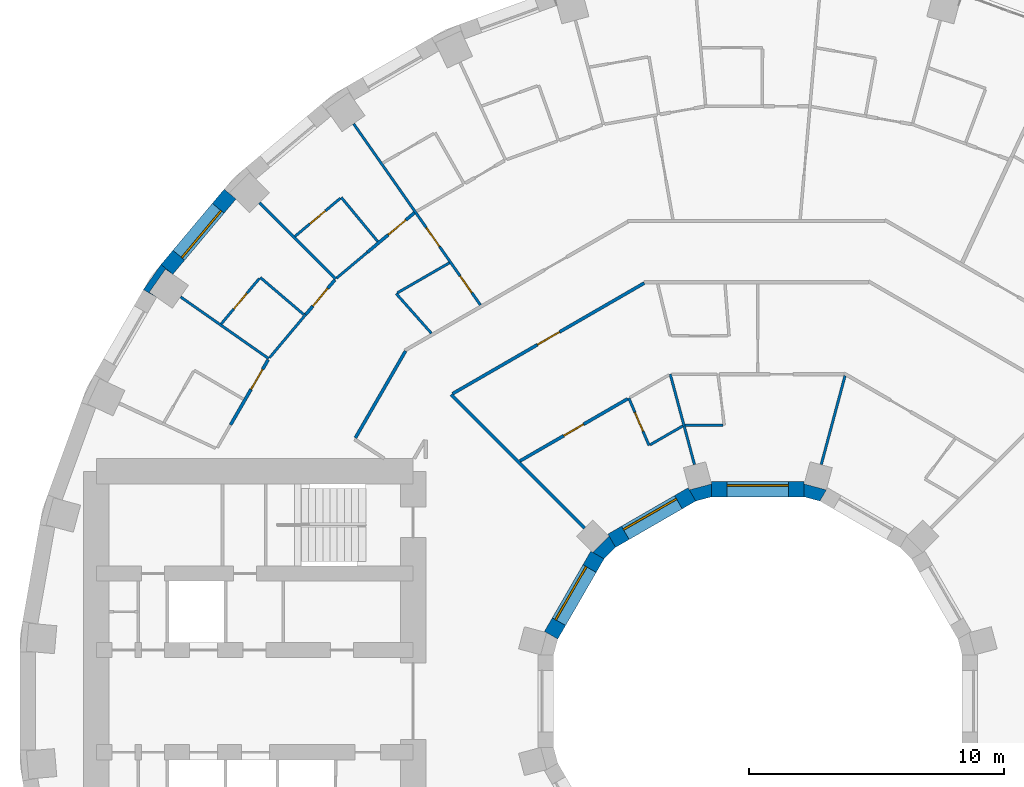
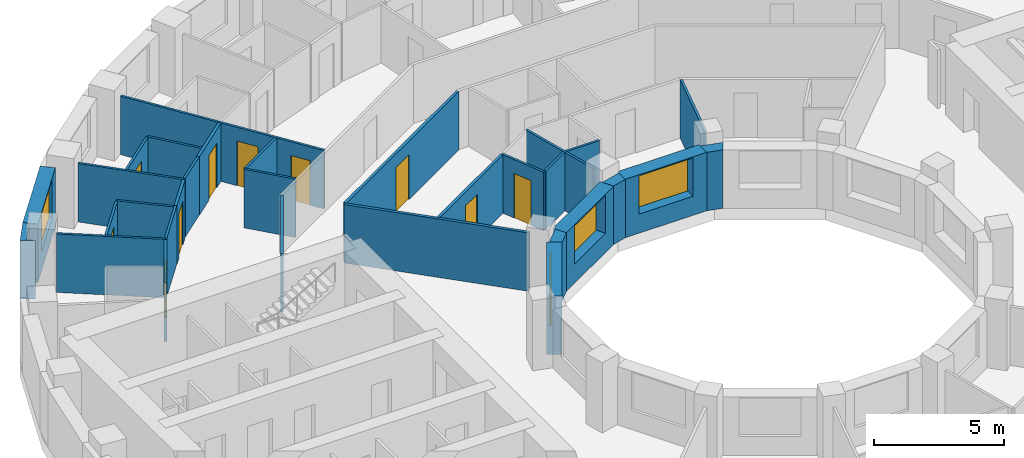
# One storey, part 10 of 15: 31 walls, 10 doors, 4 windows, 14 openings.
"""IFC4 building model written with IfcOpenShell, lengths in metres."""

from ifc_helpers import new_model, si_unit, direction, frame, frame_2d, origin, place, context, subcontext, project, spatial, polyline, rectangle, outline, extrude, material, layer, layer_set, type_object, element, fill, save


model = new_model("IFC4")

# Units and contexts
model_context = context("Model", 3, precision=1e-05, world=origin(), true_north=direction((0.0, 1.0)))
body_context = subcontext(model_context, "Body", "Model", "MODEL_VIEW")
ifc_project = project(units=[si_unit("LENGTHUNIT", "METRE"), si_unit("AREAUNIT", "SQUARE_METRE"), si_unit("VOLUMEUNIT", "CUBIC_METRE"), si_unit("PLANEANGLEUNIT", "RADIAN"), si_unit("MASSUNIT", "GRAM", prefix="KILO")], contexts=[model_context])

# Site, building, storey
site_placement = place(None, origin())
site = spatial("IfcSite", under=ifc_project, at=site_placement, CompositionType="ELEMENT")
building_placement = place(site_placement, origin())
building = spatial("IfcBuilding", under=site, at=building_placement, Name="Saqina Gate Tower", CompositionType="ELEMENT")
storey_placement = place(building_placement, frame((0.0, 0.0, 72.5)))
storey = spatial("IfcBuildingStorey", under=building, at=storey_placement, Name="L20", CompositionType="ELEMENT", Elevation=72.5)

# Wall
ifc_material_1 = material(Name="Brick masonry (red)", Category="masonry")
wall_type_1 = type_object("IfcWallType", Name="BRICK PIER COPING RED", PredefinedType="SOLIDWALL", material=ifc_material_1)
wall_1_placement = place(storey_placement, origin())
element("IfcWall", 1, at=wall_1_placement, inside=storey, type_object=wall_type_1, Name="Pier cap L20 column 15", PredefinedType="SOLIDWALL", context=body_context, shape_type="SweptSolid", body=[
    extrude(outline(polyline([(-23.36669921875, 17.096923828125), (-24.0576171875, 16.110107421875), (-23.5380859375, 15.81005859375), (-23.8251953125, 16.010986328125), (-23.194091796875, 16.912109375), (-22.9072265625, 16.711181640625), (-23.36669921875, 17.096923828125)])), origin(), (0.0, 0.0, 1.0), 2.75),
])

# Wall, opening, window
ifc_material_2 = material(Name="Brick masonry (red)", Category="masonry")
ifc_layer_1 = layer(ifc_material_2, 0.60009765625)
ifc_layer_set_1 = layer_set([ifc_layer_1], Name="FW-BRICK-RED")
wall_type_2 = type_object("IfcWallType", Name="FW-BRICK-RED", PredefinedType="SOLIDWALL", material=ifc_layer_set_1)
wall_2_placement = place(storey_placement, frame((-20.664794921875, 19.85009765625, 0.0), z_axis=(0.0, 0.0, 1.0), x_axis=(-0.642809392687, -0.766026164483, 0.0)))
wall_2 = element("IfcWall", 2, at=wall_2_placement, inside=storey, type_object=wall_type_2, Name="Facade wall L20 facet 14", PredefinedType="SOLIDWALL", context=body_context, shape_type="SweptSolid", body=[
    extrude(rectangle(XDim=3.845947265625, YDim=0.60009765625, at=frame_2d((1.9228515625, 0.0))), origin(), (0.0, 0.0, 1.0), 2.75),
])
opening_1_placement = place(wall_2_placement, frame((0.722900390625, 0.0, 0.89990234375)))
opening_1 = element("IfcOpeningElement", 3, at=opening_1_placement, cuts=wall_2, Name="Opening G05-W08", PredefinedType="OPENING", context=body_context, shape_type="SweptSolid", body=[
    extrude(rectangle(XDim=2.39990234375, YDim=1.800048828125, at=frame_2d((1.199951171875, 0.89990234375))), frame((0.0, 0.31201171875, 0.0), z_axis=(0.0, -1.0, 0.0), x_axis=(1.0, 0.0, 0.0)), (0.0, 0.0, 1.0), 0.6240234375),
])
ifc_material_3 = material(Name="Aluminium glazing", Category="aluminium")
window_type_1 = type_object("IfcWindowType", Name="WN-A", PartitioningType="SINGLE_PANEL", PredefinedType="WINDOW", material=ifc_material_3)
window_1_placement = place(opening_1_placement, origin())
window_1 = element("IfcWindow", 4, at=window_1_placement, inside=storey, type_object=window_type_1, Name="Window L20 facet 14", OverallHeight=1.800048828125, OverallWidth=2.39990234375, PartitioningType="SINGLE_PANEL", PredefinedType="WINDOW", context=body_context, shape_type="SweptSolid", body=[
    extrude(rectangle(XDim=2.39990234375, YDim=1.800048828125, at=frame_2d((1.199951171875, 0.89990234375))), frame((0.0, 0.179931640625, 0.0), z_axis=(0.0, -1.0, 0.0), x_axis=(1.0, 0.0, 0.0)), (0.0, 0.0, 1.0), 0.06005859375),
])
fill(opening_1, window_1)

ifc_material_4 = material(Name="Glazed ceramic tile", Category="ceramic")
ifc_layer_2 = layer(ifc_material_4, 0.60009765625)
ifc_layer_set_2 = layer_set([ifc_layer_2], Name="IW-TILE")
wall_type_3 = type_object("IfcWallType", Name="IW-TILE", PredefinedType="SOLIDWALL", material=ifc_layer_set_2)
wall_3_placement = place(storey_placement, frame((1.8125, 8.300048828125, 0.0), z_axis=(0.0, 0.0, 1.0), x_axis=(-1.0, 0.0, 0.0)))
wall_3 = element("IfcWall", 5, at=wall_3_placement, inside=storey, type_object=wall_type_3, Name="Well wall L20 facet 3", PredefinedType="SOLIDWALL", context=body_context, shape_type="SweptSolid", body=[
    extrude(rectangle(XDim=3.625, YDim=0.60009765625, at=frame_2d((1.8125, 0.0))), origin(), (0.0, 0.0, 1.0), 2.75),
])
opening_2_placement = place(wall_3_placement, frame((0.612548828125, 0.0, 0.89990234375)))
opening_2 = element("IfcOpeningElement", 6, at=opening_2_placement, cuts=wall_3, Name="Opening G05-W25", PredefinedType="OPENING", context=body_context, shape_type="SweptSolid", body=[
    extrude(rectangle(XDim=2.39990234375, YDim=1.800048828125, at=frame_2d((1.199951171875, 0.89990234375))), frame((0.0, 0.31201171875, 0.0), z_axis=(0.0, -1.0, 0.0), x_axis=(1.0, 0.0, 0.0)), (0.0, 0.0, 1.0), 0.6240234375),
])
ifc_material_5 = material(Name="Aluminium glazing", Category="aluminium")
window_type_2 = type_object("IfcWindowType", Name="WN-W", PartitioningType="SINGLE_PANEL", PredefinedType="WINDOW", material=ifc_material_5)
window_2_placement = place(opening_2_placement, origin())
window_2 = element("IfcWindow", 7, at=window_2_placement, inside=storey, type_object=window_type_2, Name="Well window L20 facet 3", OverallHeight=1.800048828125, OverallWidth=2.39990234375, PartitioningType="SINGLE_PANEL", PredefinedType="WINDOW", context=body_context, shape_type="SweptSolid", body=[
    extrude(rectangle(XDim=2.39990234375, YDim=1.800048828125, at=frame_2d((1.199951171875, 0.89990234375))), frame((0.0, -0.119873046875, 0.0), z_axis=(0.0, -1.0, 0.0), x_axis=(1.0, 0.0, 0.0)), (0.0, 0.0, 1.0), 0.06005859375),
])
fill(opening_2, window_2)

wall_4_placement = place(storey_placement, frame((-2.580322265625, 8.09423828125, 0.0), z_axis=(0.0, 0.0, 1.0), x_axis=(-0.866029693906, -0.499992569217, 0.0)))
wall_4 = element("IfcWall", 8, at=wall_4_placement, inside=storey, type_object=wall_type_3, Name="Well wall L20 facet 4", PredefinedType="SOLIDWALL", context=body_context, shape_type="SweptSolid", body=[
    extrude(rectangle(XDim=3.625, YDim=0.60009765625, at=frame_2d((1.8125, 0.0))), origin(), (0.0, 0.0, 1.0), 2.75),
])
opening_3_placement = place(wall_4_placement, frame((0.612548828125, 0.0, 0.89990234375)))
opening_3 = element("IfcOpeningElement", 9, at=opening_3_placement, cuts=wall_4, Name="Opening G05-W26", PredefinedType="OPENING", context=body_context, shape_type="SweptSolid", body=[
    extrude(rectangle(XDim=2.39990234375, YDim=1.800048828125, at=frame_2d((1.199951171875, 0.89990234375))), frame((0.0, 0.31201171875, 0.0), z_axis=(0.0, -1.0, 0.0), x_axis=(1.0, 0.0, 0.0)), (0.0, 0.0, 1.0), 0.6240234375),
])
window_3_placement = place(opening_3_placement, origin())
window_3 = element("IfcWindow", 10, at=window_3_placement, inside=storey, type_object=window_type_2, Name="Well window L20 facet 4", OverallHeight=1.800048828125, OverallWidth=2.39990234375, PartitioningType="SINGLE_PANEL", PredefinedType="WINDOW", context=body_context, shape_type="SweptSolid", body=[
    extrude(rectangle(XDim=2.39990234375, YDim=1.800048828125, at=frame_2d((1.199951171875, 0.89990234375))), frame((0.0, -0.119873046875, 0.0), z_axis=(0.0, -1.0, 0.0), x_axis=(1.0, 0.0, 0.0)), (0.0, 0.0, 1.0), 0.06005859375),
])
fill(opening_3, window_3)

wall_5_placement = place(storey_placement, frame((-6.28173828125, 5.7197265625, 0.0), z_axis=(0.0, 0.0, 1.0), x_axis=(-0.499992569217, -0.866029693906, 0.0)))
wall_5 = element("IfcWall", 11, at=wall_5_placement, inside=storey, type_object=wall_type_3, Name="Well wall L20 facet 5", PredefinedType="SOLIDWALL", context=body_context, shape_type="SweptSolid", body=[
    extrude(rectangle(XDim=3.625, YDim=0.60009765625, at=frame_2d((1.8125, 0.0))), origin(), (0.0, 0.0, 1.0), 2.75),
])
opening_4_placement = place(wall_5_placement, frame((0.612548828125, 0.0, 0.89990234375)))
opening_4 = element("IfcOpeningElement", 12, at=opening_4_placement, cuts=wall_5, Name="Opening G05-W27", PredefinedType="OPENING", context=body_context, shape_type="SweptSolid", body=[
    extrude(rectangle(XDim=2.39990234375, YDim=1.800048828125, at=frame_2d((1.199951171875, 0.89990234375))), frame((0.0, 0.31201171875, 0.0), z_axis=(0.0, -1.0, 0.0), x_axis=(1.0, 0.0, 0.0)), (0.0, 0.0, 1.0), 0.6240234375),
])
window_4_placement = place(opening_4_placement, origin())
window_4 = element("IfcWindow", 13, at=window_4_placement, inside=storey, type_object=window_type_2, Name="Well window L20 facet 5", OverallHeight=1.800048828125, OverallWidth=2.39990234375, PartitioningType="SINGLE_PANEL", PredefinedType="WINDOW", context=body_context, shape_type="SweptSolid", body=[
    extrude(rectangle(XDim=2.39990234375, YDim=1.800048828125, at=frame_2d((1.199951171875, 0.89990234375))), frame((0.0, -0.119873046875, 0.0), z_axis=(0.0, -1.0, 0.0), x_axis=(1.0, 0.0, 0.0)), (0.0, 0.0, 1.0), 0.06005859375),
])
fill(opening_4, window_4)

# Wall
ifc_material_6 = material(Name="Gypsum board on steel studs, 100 mm", Category="steel")
ifc_layer_3 = layer(ifc_material_6, 0.10009765625)
ifc_layer_set_3 = layer_set([ifc_layer_3], Name="PARTITION 100")
wall_type_4 = type_object("IfcWallType", Name="PARTITION 100", PredefinedType="PARTITIONING", material=ifc_layer_set_3)
wall_6_placement = place(storey_placement, frame((-3.429931640625, 12.800048828125, 0.0), z_axis=(0.0, 0.0, 1.0), x_axis=(0.258858359558, -0.965915291155, 0.0)))
element("IfcWall", 14, at=wall_6_placement, inside=storey, type_object=wall_type_4, Name="PARTITION PW3-13", PredefinedType="PARTITIONING", context=body_context, shape_type="SweptSolid", body=[
    extrude(rectangle(XDim=3.659423828125, YDim=0.10009765625, at=frame_2d((1.82958984375, 0.0))), origin(), (0.0, 0.0, 1.0), 2.75),
])

# Wall, opening, door
wall_7_placement = place(storey_placement, frame((-5.050048828125, 11.864013671875, 0.0), z_axis=(0.0, 0.0, 1.0), x_axis=(0.391782259177, -0.920057966323, 0.0)))
wall_7 = element("IfcWall", 15, at=wall_7_placement, inside=storey, type_object=wall_type_4, Name="PARTITION PW3-18", PredefinedType="PARTITIONING", context=body_context, shape_type="SweptSolid", body=[
    extrude(rectangle(XDim=2.013916015625, YDim=0.10009765625, at=frame_2d((1.0068359375, 0.0))), origin(), (0.0, 0.0, 1.0), 2.75),
])
opening_5_placement = place(wall_7_placement, frame((0.60693359375, 0.0, 0.0)))
opening_5 = element("IfcOpeningElement", 16, at=opening_5_placement, cuts=wall_7, Name="Opening G05-D22", PredefinedType="OPENING", context=body_context, shape_type="SweptSolid", body=[
    extrude(rectangle(XDim=0.800048828125, YDim=2.10009765625, at=frame_2d((0.39990234375, 1.050048828125))), frame((0.0, 0.06201171875, 0.0), z_axis=(0.0, -1.0, 0.0), x_axis=(1.0, 0.0, 0.0)), (0.0, 0.0, 1.0), 0.1240234375),
])
ifc_material_7 = material(Name="Timber door leaf, 800 mm", Category="wood")
door_type_1 = type_object("IfcDoorType", Name="DOOR 800 TIMBER", OperationType="SINGLE_SWING_LEFT", PredefinedType="DOOR", material=ifc_material_7)
door_1_placement = place(opening_5_placement, frame((0.800048828125, 0.0, 0.0), z_axis=(0.0, 0.0, 1.0), x_axis=(-1.0, 0.0, 0.0)))
door_1 = element("IfcDoor", 17, at=door_1_placement, inside=storey, type_object=door_type_1, Name="DOOR G05-D22", OperationType="SINGLE_SWING_RIGHT", OverallHeight=2.10009765625, OverallWidth=0.800048828125, PredefinedType="DOOR", context=body_context, shape_type="SweptSolid", body=[
    extrude(rectangle(XDim=0.800048828125, YDim=2.10009765625, at=frame_2d((0.39990234375, 1.050048828125))), frame((0.0, 0.02490234375, 0.0), z_axis=(0.0, -1.0, 0.0), x_axis=(1.0, 0.0, 0.0)), (0.0, 0.0, 1.0), 0.050048828125),
])
fill(opening_5, door_1)

# Wall, openings, doors
wall_8_placement = place(storey_placement, frame((-15.82470703125, 22.6005859375, 0.0), z_axis=(0.0, 0.0, 1.0), x_axis=(0.57339608395, -0.819278298816, 0.0)))
wall_8 = element("IfcWall", 18, at=wall_8_placement, inside=storey, type_object=wall_type_4, Name="PARTITION PW3-24", PredefinedType="PARTITIONING", context=body_context, shape_type="SweptSolid", body=[
    extrude(rectangle(XDim=8.6552734375, YDim=0.10009765625, at=frame_2d((4.32763671875, 0.0))), origin(), (0.0, 0.0, 1.0), 2.75),
])
opening_6_placement = place(wall_8_placement, frame((7.263671875, 0.0, 0.0)))
opening_6 = element("IfcOpeningElement", 19, at=opening_6_placement, cuts=wall_8, Name="Opening G05-D28", PredefinedType="OPENING", context=body_context, shape_type="SweptSolid", body=[
    extrude(rectangle(XDim=0.800048828125, YDim=2.10009765625, at=frame_2d((0.39990234375, 1.050048828125))), frame((0.0, 0.06201171875, 0.0), z_axis=(0.0, -1.0, 0.0), x_axis=(1.0, 0.0, 0.0)), (0.0, 0.0, 1.0), 0.1240234375),
])
opening_7_placement = place(wall_8_placement, frame((4.96044921875, 0.0, 0.0)))
opening_7 = element("IfcOpeningElement", 20, at=opening_7_placement, cuts=wall_8, Name="Opening G05-D29", PredefinedType="OPENING", context=body_context, shape_type="SweptSolid", body=[
    extrude(rectangle(XDim=0.89990234375, YDim=2.10009765625, at=frame_2d((0.449951171875, 1.050048828125))), frame((0.0, 0.06201171875, 0.0), z_axis=(0.0, -1.0, 0.0), x_axis=(1.0, 0.0, 0.0)), (0.0, 0.0, 1.0), 0.1240234375),
])
door_2_placement = place(opening_6_placement, origin())
door_2 = element("IfcDoor", 21, at=door_2_placement, inside=storey, type_object=door_type_1, Name="DOOR G05-D28", OperationType="SINGLE_SWING_RIGHT", OverallHeight=2.10009765625, OverallWidth=0.800048828125, PredefinedType="DOOR", context=body_context, shape_type="SweptSolid", body=[
    extrude(rectangle(XDim=0.800048828125, YDim=2.10009765625, at=frame_2d((0.39990234375, 1.050048828125))), frame((0.0, 0.02490234375, 0.0), z_axis=(0.0, -1.0, 0.0), x_axis=(1.0, 0.0, 0.0)), (0.0, 0.0, 1.0), 0.050048828125),
])
fill(opening_6, door_2)
ifc_material_8 = material(Name="Timber door leaf, 900 mm", Category="wood")
door_type_2 = type_object("IfcDoorType", Name="DOOR 900 TIMBER", OperationType="SINGLE_SWING_LEFT", PredefinedType="DOOR", material=ifc_material_8)
door_3_placement = place(opening_7_placement, frame((0.89990234375, 0.0, 0.0), z_axis=(0.0, 0.0, 1.0), x_axis=(-1.0, 0.0, 0.0)))
door_3 = element("IfcDoor", 22, at=door_3_placement, inside=storey, type_object=door_type_2, Name="DOOR G05-D29", OperationType="SINGLE_SWING_LEFT", OverallHeight=2.10009765625, OverallWidth=0.89990234375, PredefinedType="DOOR", context=body_context, shape_type="SweptSolid", body=[
    extrude(rectangle(XDim=0.89990234375, YDim=2.10009765625, at=frame_2d((0.449951171875, 1.050048828125))), frame((0.0, 0.02490234375, 0.0), z_axis=(0.0, -1.0, 0.0), x_axis=(1.0, 0.0, 0.0)), (0.0, 0.0, 1.0), 0.050048828125),
])
fill(opening_7, door_3)

# Walls
wall_9_placement = place(storey_placement, frame((-16.30810546875, 19.720947265625, 0.0), z_axis=(0.0, 0.0, 1.0), x_axis=(0.637464982276, -0.770479328971, 0.0)))
element("IfcWall", 23, at=wall_9_placement, inside=storey, type_object=wall_type_4, Name="PARTITION PW3-28", PredefinedType="PARTITIONING", context=body_context, shape_type="SweptSolid", body=[
    extrude(rectangle(XDim=2.2373046875, YDim=0.10009765625, at=frame_2d((1.11865234375, 0.0))), origin(), (0.0, 0.0, 1.0), 2.75),
])
wall_10_placement = place(storey_placement, frame((-14.162109375, 15.95703125, 0.0), z_axis=(0.0, 0.0, 1.0), x_axis=(0.663919519931, -0.747804032521, 0.0)))
element("IfcWall", 24, at=wall_10_placement, inside=storey, type_object=wall_type_4, Name="PARTITION PW3-30", PredefinedType="PARTITIONING", context=body_context, shape_type="SweptSolid", body=[
    extrude(rectangle(XDim=2.0810546875, YDim=0.10009765625, at=frame_2d((1.04052734375, 0.0))), origin(), (0.0, 0.0, 1.0), 2.75),
])
wall_11_placement = place(storey_placement, frame((-19.509033203125, 19.509033203125, 0.0), z_axis=(0.0, 0.0, 1.0), x_axis=(0.707106781187, -0.707106781187, 0.0)))
element("IfcWall", 25, at=wall_11_placement, inside=storey, type_object=wall_type_4, Name="PARTITION PW3-31", PredefinedType="PARTITIONING", context=body_context, shape_type="SweptSolid", body=[
    extrude(rectangle(XDim=4.211669921875, YDim=0.10009765625, at=frame_2d((2.10595703125, 0.0))), origin(), (0.0, 0.0, 1.0), 2.75),
])
wall_12_placement = place(storey_placement, frame((-19.48388671875, 16.590087890625, 0.0), z_axis=(0.0, 0.0, 1.0), x_axis=(0.761325032224, -0.648370415201, 0.0)))
element("IfcWall", 26, at=wall_12_placement, inside=storey, type_object=wall_type_4, Name="PARTITION PW3-34", PredefinedType="PARTITIONING", context=body_context, shape_type="SweptSolid", body=[
    extrude(rectangle(XDim=2.237060546875, YDim=0.10009765625, at=frame_2d((1.11865234375, 0.0))), origin(), (0.0, 0.0, 1.0), 2.75),
])
wall_13_placement = place(storey_placement, frame((-22.599853515625, 15.82568359375, 0.0), z_axis=(0.0, 0.0, 1.0), x_axis=(0.818956755678, -0.573855236388, 0.0)))
element("IfcWall", 27, at=wall_13_placement, inside=storey, type_object=wall_type_4, Name="PARTITION PW3-39", PredefinedType="PARTITIONING", context=body_context, shape_type="SweptSolid", body=[
    extrude(rectangle(XDim=4.21142578125, YDim=0.10009765625, at=frame_2d((2.105712890625, 0.0))), origin(), (0.0, 0.0, 1.0), 2.75),
])
wall_14_placement = place(storey_placement, frame((-2.843994140625, 10.800048828125, 0.0), z_axis=(0.0, 0.0, 1.0), x_axis=(1.0, 0.0, 0.0)))
element("IfcWall", 28, at=wall_14_placement, inside=storey, type_object=wall_type_4, Name="PARTITION PW3-62", PredefinedType="PARTITIONING", context=body_context, shape_type="SweptSolid", body=[
    extrude(rectangle(XDim=1.47900390625, YDim=0.10009765625, at=frame_2d((0.739501953125, 0.0))), origin(), (0.0, 0.0, 1.0), 2.75),
])
wall_15_placement = place(storey_placement, frame((-4.2177734375, 10.035888671875, 0.0), z_axis=(0.0, 0.0, 1.0), x_axis=(0.866111350081, 0.499851107092, 0.0)))
element("IfcWall", 29, at=wall_15_placement, inside=storey, type_object=wall_type_4, Name="PARTITION PW3-78", PredefinedType="PARTITIONING", context=body_context, shape_type="SweptSolid", body=[
    extrude(rectangle(XDim=1.478515625, YDim=0.10009765625, at=frame_2d((0.7392578125, 0.0))), origin(), (0.0, 0.0, 1.0), 2.75),
])
wall_16_placement = place(storey_placement, frame((-14.11865234375, 15.98193359375, 0.0), z_axis=(0.0, 0.0, 1.0), x_axis=(0.865945816379, 0.5001378241, 0.0)))
element("IfcWall", 30, at=wall_16_placement, inside=storey, type_object=wall_type_4, Name="PARTITION PW3-80", PredefinedType="PARTITIONING", context=body_context, shape_type="SweptSolid", body=[
    extrude(rectangle(XDim=2.357177734375, YDim=0.10009765625, at=frame_2d((1.1787109375, 0.0))), origin(), (0.0, 0.0, 1.0), 2.75),
])
wall_17_placement = place(storey_placement, frame((-16.49267578125, 16.563232421875, 0.0), z_axis=(0.0, 0.0, 1.0), x_axis=(0.765882590802, 0.642980448463, 0.0)))
element("IfcWall", 31, at=wall_17_placement, inside=storey, type_object=wall_type_4, Name="PARTITION PW3-85", PredefinedType="PARTITIONING", context=body_context, shape_type="SweptSolid", body=[
    extrude(rectangle(XDim=1.5693359375, YDim=0.10009765625, at=frame_2d((0.78466796875, 0.0))), origin(), (0.0, 0.0, 1.0), 2.75),
])

# Wall, opening, door
wall_18_placement = place(storey_placement, frame((-18.125732421875, 18.196044921875, 0.0), z_axis=(0.0, 0.0, 1.0), x_axis=(0.766106399864, 0.642713765286, 0.0)))
wall_18 = element("IfcWall", 32, at=wall_18_placement, inside=storey, type_object=wall_type_4, Name="PARTITION PW3-86", PredefinedType="PARTITIONING", context=body_context, shape_type="SweptSolid", body=[
    extrude(rectangle(XDim=2.32275390625, YDim=0.10009765625, at=frame_2d((1.161376953125, 0.0))), origin(), (0.0, 0.0, 1.0), 2.75),
])
opening_8_placement = place(wall_18_placement, frame((0.76123046875, 0.0, 0.0)))
opening_8 = element("IfcOpeningElement", 33, at=opening_8_placement, cuts=wall_18, Name="Opening G05-D31", PredefinedType="OPENING", context=body_context, shape_type="SweptSolid", body=[
    extrude(rectangle(XDim=0.800048828125, YDim=2.10009765625, at=frame_2d((0.39990234375, 1.050048828125))), frame((0.0, 0.06201171875, 0.0), z_axis=(0.0, -1.0, 0.0), x_axis=(1.0, 0.0, 0.0)), (0.0, 0.0, 1.0), 0.1240234375),
])
door_4_placement = place(opening_8_placement, origin())
door_4 = element("IfcDoor", 34, at=door_4_placement, inside=storey, type_object=door_type_1, Name="DOOR G05-D31", OperationType="SINGLE_SWING_RIGHT", OverallHeight=2.10009765625, OverallWidth=0.800048828125, PredefinedType="DOOR", context=body_context, shape_type="SweptSolid", body=[
    extrude(rectangle(XDim=0.800048828125, YDim=2.10009765625, at=frame_2d((0.39990234375, 1.050048828125))), frame((0.0, 0.02490234375, 0.0), z_axis=(0.0, -1.0, 0.0), x_axis=(1.0, 0.0, 0.0)), (0.0, 0.0, 1.0), 0.050048828125),
])
fill(opening_8, door_4)

# Wall
wall_19_placement = place(storey_placement, frame((-19.118896484375, 13.447265625, 0.0), z_axis=(0.0, 0.0, 1.0), x_axis=(0.642771526397, 0.766057938313, 0.0)))
element("IfcWall", 35, at=wall_19_placement, inside=storey, type_object=wall_type_4, Name="PARTITION PW3-91", PredefinedType="PARTITIONING", context=body_context, shape_type="SweptSolid", body=[
    extrude(rectangle(XDim=2.2060546875, YDim=0.10009765625, at=frame_2d((1.10302734375, 0.0))), origin(), (0.0, 0.0, 1.0), 2.75),
])

# Wall, opening, door
wall_20_placement = place(storey_placement, frame((-21.009765625, 14.772216796875, 0.0), z_axis=(0.0, 0.0, 1.0), x_axis=(0.642898772456, 0.765951152734, 0.0)))
wall_20 = element("IfcWall", 36, at=wall_20_placement, inside=storey, type_object=wall_type_4, Name="PARTITION PW3-92", PredefinedType="PARTITIONING", context=body_context, shape_type="SweptSolid", body=[
    extrude(rectangle(XDim=2.3232421875, YDim=0.10009765625, at=frame_2d((1.16162109375, 0.0))), origin(), (0.0, 0.0, 1.0), 2.75),
])
opening_9_placement = place(wall_20_placement, frame((0.76171875, 0.0, 0.0)))
opening_9 = element("IfcOpeningElement", 37, at=opening_9_placement, cuts=wall_20, Name="Opening G05-D33", PredefinedType="OPENING", context=body_context, shape_type="SweptSolid", body=[
    extrude(rectangle(XDim=0.800048828125, YDim=2.10009765625, at=frame_2d((0.39990234375, 1.050048828125))), frame((0.0, 0.06201171875, 0.0), z_axis=(0.0, -1.0, 0.0), x_axis=(1.0, 0.0, 0.0)), (0.0, 0.0, 1.0), 0.1240234375),
])
door_5_placement = place(opening_9_placement, origin())
door_5 = element("IfcDoor", 38, at=door_5_placement, inside=storey, type_object=door_type_1, Name="DOOR G05-D33", OperationType="SINGLE_SWING_LEFT", OverallHeight=2.10009765625, OverallWidth=0.800048828125, PredefinedType="DOOR", context=body_context, shape_type="SweptSolid", body=[
    extrude(rectangle(XDim=0.800048828125, YDim=2.10009765625, at=frame_2d((0.39990234375, 1.050048828125))), frame((0.0, 0.02490234375, 0.0), z_axis=(0.0, -1.0, 0.0), x_axis=(1.0, 0.0, 0.0)), (0.0, 0.0, 1.0), 0.050048828125),
])
fill(opening_9, door_5)

# Walls
wall_21_placement = place(storey_placement, frame((2.48291015625, 9.265380859375, 0.0), z_axis=(0.0, 0.0, 1.0), x_axis=(0.258807332054, 0.965928964715, 0.0)))
element("IfcWall", 39, at=wall_21_placement, inside=storey, type_object=wall_type_4, Name="PARTITION PW3-107", PredefinedType="PARTITIONING", context=body_context, shape_type="SweptSolid", body=[
    extrude(rectangle(XDim=3.596923828125, YDim=0.10009765625, at=frame_2d((1.79833984375, 0.0))), origin(), (0.0, 0.0, 1.0), 2.75),
])
ifc_material_9 = material(Name="Gypsum board on steel studs, 125 mm, fire rated", Category="steel")
ifc_layer_4 = layer(ifc_material_9, 0.125)
ifc_layer_set_4 = layer_set([ifc_layer_4], Name="PARTITION EI 30 125")
wall_type_5 = type_object("IfcWallType", Name="PARTITION EI 30 125", PredefinedType="PARTITIONING", material=ifc_layer_set_4)
wall_22_placement = place(storey_placement, frame((-12.006103515625, 12.006103515625, 0.0), z_axis=(0.0, 0.0, 1.0), x_axis=(0.707106781187, -0.707106781187, 0.0)))
element("IfcWall", 40, at=wall_22_placement, inside=storey, type_object=wall_type_5, Name="PARTITION PW1-05", PredefinedType="PARTITIONING", context=body_context, shape_type="SweptSolid", body=[
    extrude(rectangle(XDim=7.386962890625, YDim=0.125, at=frame_2d((3.693359375, 0.0))), origin(), (0.0, 0.0, 1.0), 2.75),
])

# Wall, opening, door
wall_23_placement = place(storey_placement, frame((-9.31591796875, 9.4013671875, 0.0), z_axis=(0.0, 0.0, 1.0), x_axis=(0.866043838253, 0.499968069204, 0.0)))
wall_23 = element("IfcWall", 41, at=wall_23_placement, inside=storey, type_object=wall_type_5, Name="PARTITION PW1-34", PredefinedType="PARTITIONING", context=body_context, shape_type="SweptSolid", body=[
    extrude(rectangle(XDim=4.875732421875, YDim=0.125, at=frame_2d((2.43798828125, 0.0))), origin(), (0.0, 0.0, 1.0), 2.75),
])
opening_10_placement = place(wall_23_placement, frame((1.981689453125, 0.0, 0.0)))
opening_10 = element("IfcOpeningElement", 42, at=opening_10_placement, cuts=wall_23, Name="Opening G05-D27", PredefinedType="OPENING", context=body_context, shape_type="SweptSolid", body=[
    extrude(rectangle(XDim=0.89990234375, YDim=2.10009765625, at=frame_2d((0.449951171875, 1.050048828125))), frame((0.0, 0.074462890625, 0.0), z_axis=(0.0, -1.0, 0.0), x_axis=(1.0, 0.0, 0.0)), (0.0, 0.0, 1.0), 0.14892578125),
])
ifc_material_10 = material(Name="Fire door leaf EI 30, 900 mm")
door_type_3 = type_object("IfcDoorType", Name="DOOR 900 EI 30", OperationType="SINGLE_SWING_LEFT", PredefinedType="DOOR", material=ifc_material_10)
door_6_placement = place(opening_10_placement, origin())
door_6 = element("IfcDoor", 43, at=door_6_placement, inside=storey, type_object=door_type_3, Name="DOOR G05-D27", OperationType="SINGLE_SWING_LEFT", OverallHeight=2.10009765625, OverallWidth=0.89990234375, PredefinedType="DOOR", context=body_context, shape_type="SweptSolid", body=[
    extrude(rectangle(XDim=0.89990234375, YDim=2.10009765625, at=frame_2d((0.449951171875, 1.050048828125))), frame((0.0, 0.02490234375, 0.0), z_axis=(0.0, -1.0, 0.0), x_axis=(1.0, 0.0, 0.0)), (0.0, 0.0, 1.0), 0.050048828125),
])
fill(opening_10, door_6)

wall_24_placement = place(storey_placement, frame((-11.951904296875, 12.037353515625, 0.0), z_axis=(0.0, 0.0, 1.0), x_axis=(0.866072505035, 0.499918409365, 0.0)))
wall_24 = element("IfcWall", 44, at=wall_24_placement, inside=storey, type_object=wall_type_5, Name="PARTITION PW1-35", PredefinedType="PARTITIONING", context=body_context, shape_type="SweptSolid", body=[
    extrude(rectangle(XDim=8.6640625, YDim=0.125, at=frame_2d((4.33203125, 0.0))), origin(), (0.0, 0.0, 1.0), 2.75),
])
opening_11_placement = place(wall_24_placement, frame((3.83203125, 0.0, 0.0)))
opening_11 = element("IfcOpeningElement", 45, at=opening_11_placement, cuts=wall_24, Name="Opening G05-D25", PredefinedType="OPENING", context=body_context, shape_type="SweptSolid", body=[
    extrude(rectangle(XDim=1.0, YDim=2.10009765625, at=frame_2d((0.5, 1.050048828125))), frame((0.0, 0.074462890625, 0.0), z_axis=(0.0, -1.0, 0.0), x_axis=(1.0, 0.0, 0.0)), (0.0, 0.0, 1.0), 0.14892578125),
])
ifc_material_11 = material(Name="Fire door leaf EI 30, 1000 mm")
door_type_4 = type_object("IfcDoorType", Name="DOOR 1000 EI 30", OperationType="SINGLE_SWING_LEFT", PredefinedType="DOOR", material=ifc_material_11)
door_7_placement = place(opening_11_placement, frame((1.0, 0.0, 0.0), z_axis=(0.0, 0.0, 1.0), x_axis=(-1.0, 0.0, 0.0)))
door_7 = element("IfcDoor", 46, at=door_7_placement, inside=storey, type_object=door_type_4, Name="DOOR G05-D25", OperationType="SINGLE_SWING_LEFT", OverallHeight=2.10009765625, OverallWidth=1.0, PredefinedType="DOOR", context=body_context, shape_type="SweptSolid", body=[
    extrude(rectangle(XDim=1.0, YDim=2.10009765625, at=frame_2d((0.5, 1.050048828125))), frame((0.0, 0.02490234375, 0.0), z_axis=(0.0, -1.0, 0.0), x_axis=(1.0, 0.0, 0.0)), (0.0, 0.0, 1.0), 0.050048828125),
])
fill(opening_11, door_7)

wall_25_placement = place(storey_placement, frame((-15.290771484375, 17.572265625, 0.0), z_axis=(0.0, 0.0, 1.0), x_axis=(0.766188320354, 0.642616104492, 0.0)))
wall_25 = element("IfcWall", 47, at=wall_25_placement, inside=storey, type_object=wall_type_5, Name="PARTITION PW1-41", PredefinedType="PARTITIONING", context=body_context, shape_type="SweptSolid", body=[
    extrude(rectangle(XDim=2.406494140625, YDim=0.125, at=frame_2d((1.203125, 0.0))), origin(), (0.0, 0.0, 1.0), 2.75),
])
opening_12_placement = place(wall_25_placement, frame((1.0712890625, 0.0, 0.0)))
opening_12 = element("IfcOpeningElement", 48, at=opening_12_placement, cuts=wall_25, Name="Opening G05-D30", PredefinedType="OPENING", context=body_context, shape_type="SweptSolid", body=[
    extrude(rectangle(XDim=0.89990234375, YDim=2.10009765625, at=frame_2d((0.449951171875, 1.050048828125))), frame((0.0, 0.074462890625, 0.0), z_axis=(0.0, -1.0, 0.0), x_axis=(1.0, 0.0, 0.0)), (0.0, 0.0, 1.0), 0.14892578125),
])
door_8_placement = place(opening_12_placement, origin())
door_8 = element("IfcDoor", 49, at=door_8_placement, inside=storey, type_object=door_type_3, Name="DOOR G05-D30", OperationType="SINGLE_SWING_RIGHT", OverallHeight=2.10009765625, OverallWidth=0.89990234375, PredefinedType="DOOR", context=body_context, shape_type="SweptSolid", body=[
    extrude(rectangle(XDim=0.89990234375, YDim=2.10009765625, at=frame_2d((0.449951171875, 1.050048828125))), frame((0.0, 0.02490234375, 0.0), z_axis=(0.0, -1.0, 0.0), x_axis=(1.0, 0.0, 0.0)), (0.0, 0.0, 1.0), 0.050048828125),
])
fill(opening_12, door_8)

wall_26_placement = place(storey_placement, frame((-17.700927734375, 15.13720703125, 0.0), z_axis=(0.0, 0.0, 1.0), x_axis=(0.642894375175, 0.765954843557, 0.0)))
wall_26 = element("IfcWall", 50, at=wall_26_placement, inside=storey, type_object=wall_type_5, Name="PARTITION PW1-45", PredefinedType="PARTITIONING", context=body_context, shape_type="SweptSolid", body=[
    extrude(rectangle(XDim=1.76953125, YDim=0.125, at=frame_2d((0.884765625, 0.0))), origin(), (0.0, 0.0, 1.0), 2.75),
])
opening_13_placement = place(wall_26_placement, frame((0.434814453125, 0.0, 0.0)))
opening_13 = element("IfcOpeningElement", 51, at=opening_13_placement, cuts=wall_26, Name="Opening G05-D32", PredefinedType="OPENING", context=body_context, shape_type="SweptSolid", body=[
    extrude(rectangle(XDim=0.89990234375, YDim=2.10009765625, at=frame_2d((0.449951171875, 1.050048828125))), frame((0.0, 0.074462890625, 0.0), z_axis=(0.0, -1.0, 0.0), x_axis=(1.0, 0.0, 0.0)), (0.0, 0.0, 1.0), 0.14892578125),
])
door_9_placement = place(opening_13_placement, frame((0.89990234375, 0.0, 0.0), z_axis=(0.0, 0.0, 1.0), x_axis=(-1.0, 0.0, 0.0)))
door_9 = element("IfcDoor", 52, at=door_9_placement, inside=storey, type_object=door_type_3, Name="DOOR G05-D32", OperationType="SINGLE_SWING_LEFT", OverallHeight=2.10009765625, OverallWidth=0.89990234375, PredefinedType="DOOR", context=body_context, shape_type="SweptSolid", body=[
    extrude(rectangle(XDim=0.89990234375, YDim=2.10009765625, at=frame_2d((0.449951171875, 1.050048828125))), frame((0.0, 0.02490234375, 0.0), z_axis=(0.0, -1.0, 0.0), x_axis=(1.0, 0.0, 0.0)), (0.0, 0.0, 1.0), 0.050048828125),
])
fill(opening_13, door_9)

# Wall
wall_27_placement = place(storey_placement, frame((-15.7578125, 10.30712890625, 0.0), z_axis=(0.0, 0.0, 1.0), x_axis=(0.499916150712, 0.866073808781, 0.0)))
element("IfcWall", 53, at=wall_27_placement, inside=storey, type_object=wall_type_5, Name="PARTITION PW1-50", PredefinedType="PARTITIONING", context=body_context, shape_type="SweptSolid", body=[
    extrude(rectangle(XDim=3.927978515625, YDim=0.125, at=frame_2d((1.9638671875, 0.0))), origin(), (0.0, 0.0, 1.0), 2.75),
])

# Wall, opening, door
wall_28_placement = place(storey_placement, frame((-20.64599609375, 10.818359375, 0.0), z_axis=(0.0, 0.0, 1.0), x_axis=(0.500129612544, 0.865950559014, 0.0)))
wall_28 = element("IfcWall", 54, at=wall_28_placement, inside=storey, type_object=wall_type_5, Name="PARTITION PW1-51", PredefinedType="PARTITIONING", context=body_context, shape_type="SweptSolid", body=[
    extrude(rectangle(XDim=2.941162109375, YDim=0.125, at=frame_2d((1.470703125, 0.0))), origin(), (0.0, 0.0, 1.0), 2.75),
])
opening_14_placement = place(wall_28_placement, frame((1.606201171875, 0.0, 0.0)))
opening_14 = element("IfcOpeningElement", 55, at=opening_14_placement, cuts=wall_28, Name="Opening G05-D34", PredefinedType="OPENING", context=body_context, shape_type="SweptSolid", body=[
    extrude(rectangle(XDim=0.89990234375, YDim=2.10009765625, at=frame_2d((0.449951171875, 1.050048828125))), frame((0.0, 0.074462890625, 0.0), z_axis=(0.0, -1.0, 0.0), x_axis=(1.0, 0.0, 0.0)), (0.0, 0.0, 1.0), 0.14892578125),
])
door_10_placement = place(opening_14_placement, frame((0.89990234375, 0.0, 0.0), z_axis=(0.0, 0.0, 1.0), x_axis=(-1.0, 0.0, 0.0)))
door_10 = element("IfcDoor", 56, at=door_10_placement, inside=storey, type_object=door_type_3, Name="DOOR G05-D34", OperationType="SINGLE_SWING_LEFT", OverallHeight=2.10009765625, OverallWidth=0.89990234375, PredefinedType="DOOR", context=body_context, shape_type="SweptSolid", body=[
    extrude(rectangle(XDim=0.89990234375, YDim=2.10009765625, at=frame_2d((0.449951171875, 1.050048828125))), frame((0.0, 0.02490234375, 0.0), z_axis=(0.0, -1.0, 0.0), x_axis=(1.0, 0.0, 0.0)), (0.0, 0.0, 1.0), 0.050048828125),
])
fill(opening_14, door_10)

# Walls
ifc_material_12 = material(Name="Glazed ceramic tile", Category="ceramic")
wall_type_6 = type_object("IfcWallType", Name="TILE PIER COPING", PredefinedType="SOLIDWALL", material=ifc_material_12)
wall_29_placement = place(storey_placement, origin())
element("IfcWall", 57, at=wall_29_placement, inside=storey, type_object=wall_type_6, Name="Well pier cap L20 column 3", PredefinedType="SOLIDWALL", context=body_context, shape_type="SweptSolid", body=[
    extrude(outline(polyline([(1.8125, 8.502685546875), (1.8125, 8.0), (2.430419921875, 7.83447265625), (2.681884765625, 8.27001953125), (1.8125, 8.502685546875)])), origin(), (0.0, 0.0, 1.0), 2.75),
])
wall_30_placement = place(storey_placement, origin())
element("IfcWall", 58, at=wall_30_placement, inside=storey, type_object=wall_type_6, Name="Well pier cap L20 column 4", PredefinedType="SOLIDWALL", context=body_context, shape_type="SweptSolid", body=[
    extrude(outline(polyline([(-2.681884765625, 8.27001953125), (-2.430419921875, 7.83447265625), (-1.8125, 8.0), (-1.8125, 8.502685546875), (-2.681884765625, 8.27001953125)])), origin(), (0.0, 0.0, 1.0), 2.75),
])
wall_31_placement = place(storey_placement, origin())
element("IfcWall", 59, at=wall_31_placement, inside=storey, type_object=wall_type_6, Name="Well pier cap L20 column 5", PredefinedType="SOLIDWALL", context=body_context, shape_type="SweptSolid", body=[
    extrude(outline(polyline([(-6.45751953125, 5.821044921875), (-6.02197265625, 5.569580078125), (-5.569580078125, 6.02197265625), (-5.821044921875, 6.45751953125), (-6.45751953125, 5.821044921875)])), origin(), (0.0, 0.0, 1.0), 2.75),
])

save(model, "model.ifc")
